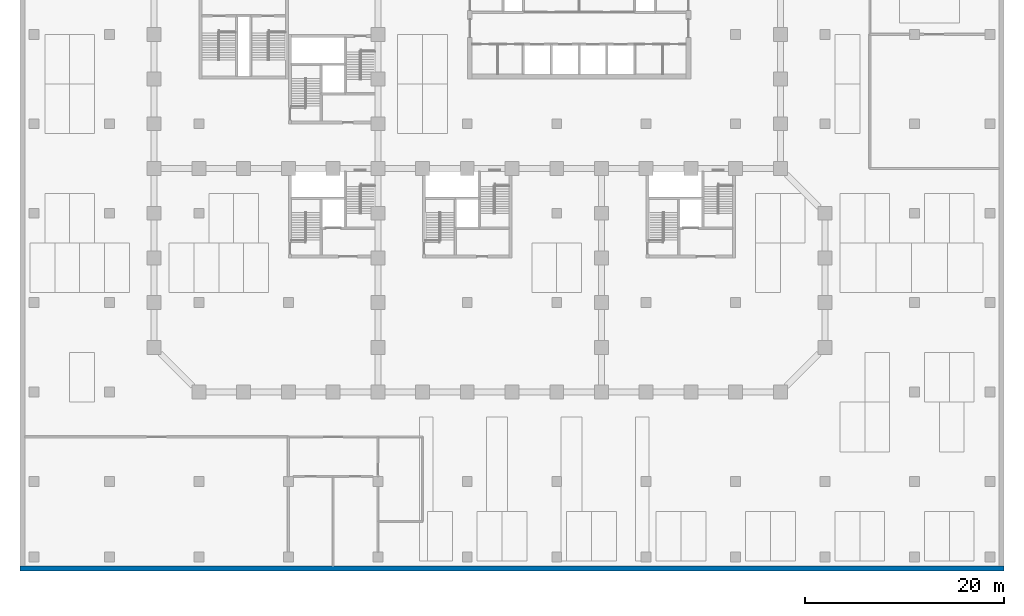
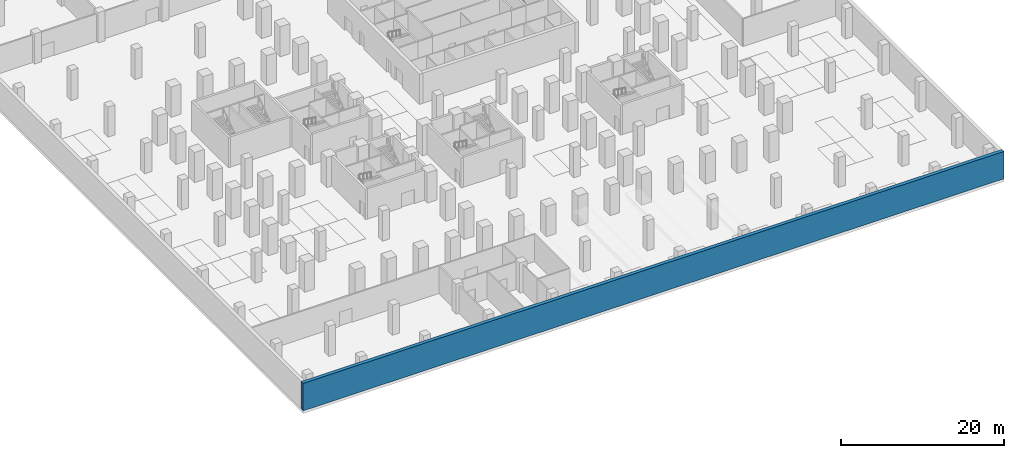
# One storey, part 5 of 16: 1 wall.
"""IFC4 building model written with IfcOpenShell, lengths in metres."""

import ifcopenshell
import ifcopenshell.guid

model = None  # the IFC model being written
_history = None  # IfcOwnerHistory: only IFC2X3 demands one
_inside = {}  # id of a spatial element -> (the spatial element, [elements in it])
_under = {}  # id of a project, library or spatial element -> (it, [spatial elements below it])
_declared = {}  # id of a project -> (the project, [libraries it declares])
_typed = {}  # id of a type object -> (the type object, [elements of that type])
_made_of = {}  # id of a material, layer set ... -> (it, [elements and type objects made of it])


def new_model(schema):
    """Start an empty IFC model of exactly this schema.

    Asked for "IFC4X3", IfcOpenShell would pick the latest addendum, in which some entities
    have other attributes; the version numbers below select the first issue.
    IFC2X3 requires an IfcOwnerHistory on every rooted entity: one is made here for all.
    """
    global model, _history
    if schema == "IFC4X3":
        model = ifcopenshell.file(schema_version=(4, 3, 0, 0))
    else:
        model = ifcopenshell.file(schema=schema)
    _inside.clear()
    _under.clear()
    _declared.clear()
    _typed.clear()
    _made_of.clear()
    _history = None
    if model.schema == "IFC2X3":
        org = make("IfcOrganization", Name="unknown")
        user = make(
            "IfcPersonAndOrganization",
            ThePerson=make("IfcPerson", FamilyName="unknown"),
            TheOrganization=org,
        )
        app = make(
            "IfcApplication",
            ApplicationDeveloper=org,
            Version="unknown",
            ApplicationFullName="unknown",
            ApplicationIdentifier="unknown",
        )
        _history = make(
            "IfcOwnerHistory",
            OwningUser=user,
            OwningApplication=app,
            ChangeAction="ADDED",
            CreationDate=0,
        )
    return model


def make(cls, **values):
    """One entity of the class cls with the attributes given. An attribute that is None is left unset."""
    return model.create_entity(
        cls, **{name: value for name, value in values.items() if value is not None}
    )


def rooted(cls, **values):
    """An entity with a GlobalId (a new one), such as an element, a storey or a relation."""
    return make(cls, GlobalId=ifcopenshell.guid.new(), OwnerHistory=_history, **values)


def si_unit(unit_type, name, prefix=None):
    """IfcSIUnit, for example si_unit("LENGTHUNIT", "METRE", prefix="MILLI")."""
    return make("IfcSIUnit", UnitType=unit_type, Prefix=prefix, Name=name)


def assignment(units):
    """IfcUnitAssignment: the units of a project."""
    return None if units is None else make("IfcUnitAssignment", Units=units)


def point(xyz):
    """IfcCartesianPoint."""
    return None if xyz is None else make("IfcCartesianPoint", Coordinates=xyz)


def direction(xyz):
    """IfcDirection."""
    return None if xyz is None else make("IfcDirection", DirectionRatios=xyz)


def frame(location, z_axis=None, x_axis=None):
    """IfcAxis2Placement3D, a coordinate frame: its origin and axes. An axis left out is left unset."""
    return make(
        "IfcAxis2Placement3D",
        Location=point(location),
        Axis=direction(z_axis),
        RefDirection=direction(x_axis),
    )


def frame_2d(location, x_axis=None):
    """IfcAxis2Placement2D, a coordinate frame in the plane: its origin and x axis."""
    return make(
        "IfcAxis2Placement2D", Location=point(location), RefDirection=direction(x_axis)
    )


def origin():
    """The frame at (0, 0, 0) with its axes left unset."""
    return frame((0.0, 0.0, 0.0))


def place(relative_to, where):
    """IfcLocalPlacement: puts the frame where relative to a parent placement (None: the world)."""
    return make(
        "IfcLocalPlacement", PlacementRelTo=relative_to, RelativePlacement=where
    )


def context(
    kind, dimensions, precision=None, world=None, true_north=None, identifier=None
):
    """IfcGeometricRepresentationContext, for example the 3D "Model" context."""
    return make(
        "IfcGeometricRepresentationContext",
        ContextIdentifier=identifier,
        ContextType=kind,
        CoordinateSpaceDimension=dimensions,
        Precision=precision,
        WorldCoordinateSystem=world,
        TrueNorth=true_north,
    )


def subcontext(parent, identifier, kind, view, scale=None):
    """IfcGeometricRepresentationSubContext, for example "Body" below "Model"."""
    return make(
        "IfcGeometricRepresentationSubContext",
        ContextIdentifier=identifier,
        ContextType=kind,
        ParentContext=parent,
        TargetScale=scale,
        TargetView=view,
    )


def project(units=None, contexts=None):
    """IfcProject with its units and contexts."""
    return rooted(
        "IfcProject",
        Name="project",
        RepresentationContexts=contexts,
        UnitsInContext=assignment(units),
    )


def spatial(cls, under=None, at=None, **own):
    """A site, building, storey or space (cls), placed at a placement, below another one or the project."""
    s = rooted(cls, ObjectPlacement=at, **own)
    if under is not None:
        _under.setdefault(under.id(), (under, []))[1].append(s)
    return s


def profile(cls, at=None, kind="AREA", **sizes):
    """A parametric profile (cls). Its sizes go by their IFC names, for example OverallWidth=200.0."""
    return make(cls, ProfileType=kind, Position=at, **sizes)


def rectangle(**sizes):
    """IfcRectangleProfileDef."""
    return profile("IfcRectangleProfileDef", **sizes)


def extrude(swept, where, along, depth):
    """IfcExtrudedAreaSolid: the profile swept, set in the frame where, extruded along a direction by depth."""
    return make(
        "IfcExtrudedAreaSolid",
        SweptArea=swept,
        Position=where,
        ExtrudedDirection=direction(along),
        Depth=depth,
    )


def shape(context_of_items, identifier, shape_type, items):
    """IfcShapeRepresentation: the items that make up one representation, for example the "Body"."""
    return make(
        "IfcShapeRepresentation",
        ContextOfItems=context_of_items,
        RepresentationIdentifier=identifier,
        RepresentationType=shape_type,
        Items=items,
    )


def material(Name=None, Category=None):
    """IfcMaterial."""
    return make("IfcMaterial", Name=Name, Category=Category)


def layer(
    of_material, thickness, ventilated=None, Name=None, Category=None, Priority=None
):
    """IfcMaterialLayer: one layer of a wall or slab, of a material (None: an air gap)."""
    return make(
        "IfcMaterialLayer",
        Material=of_material,
        LayerThickness=thickness,
        IsVentilated=ventilated,
        Name=Name,
        Category=Category,
        Priority=Priority,
    )


def layer_set(layers, Name=None):
    """IfcMaterialLayerSet."""
    return make("IfcMaterialLayerSet", MaterialLayers=layers, LayerSetName=Name)


def made_of(thing, what):
    """Note that an element or type object is made of a material, layer set ...; save() writes the relation."""
    if what is not None:
        _made_of.setdefault(what.id(), (what, []))[1].append(thing)
    return thing


def type_object(cls, material=None, **own):
    """A type object (cls), such as IfcWallType, which elements share."""
    return made_of(rooted(cls, **own), material)


def element(
    cls,
    number,
    at=None,
    inside=None,
    cuts=None,
    type_object=None,
    material=None,
    context=None,
    identifier="Body",
    shape_type=None,
    held_by="IfcProductDefinitionShape",
    body=None,
    shapes=None,
    **own,
):
    """One element of the class cls, such as IfcWall. Its Tag is "e" and its number.

    at: its placement. inside: the storey or other place that contains it. cuts: it is an
    opening in that element (IfcRelVoidsElement). A single representation is given by context,
    identifier, shape_type and body (its items); several are given by shapes. held_by: the class
    of the entity that holds the representations. save() writes the other relations.
    """
    e = rooted(cls, Tag="e%d" % number, ObjectPlacement=at, **own)
    if body is not None:
        shapes = [shape(context, identifier, shape_type, body)]
    if shapes is not None:
        e.Representation = make(held_by, Representations=shapes)
    if inside is not None:
        _inside.setdefault(inside.id(), (inside, []))[1].append(e)
    if cuts is not None:
        rooted(
            "IfcRelVoidsElement", RelatingBuildingElement=cuts, RelatedOpeningElement=e
        )
    if type_object is not None:
        _typed.setdefault(type_object.id(), (type_object, []))[1].append(e)
    return made_of(e, material)


def aggregate(whole, parts):
    """IfcRelAggregates: a whole, such as a stair, and the parts it consists of."""
    return rooted("IfcRelAggregates", RelatingObject=whole, RelatedObjects=parts)


def save(model, path):
    """Write the relations noted so far, then the file.

    IfcRelAggregates (storeys below a building ...), IfcRelContainedInSpatialStructure (elements
    in a storey), IfcRelDefinesByType, IfcRelAssociatesMaterial and IfcRelDeclares: one each for
    every whole, place, type object, material and project.
    """
    for whole, parts in _under.values():
        aggregate(whole, parts)
    for where, things in _inside.values():
        rooted(
            "IfcRelContainedInSpatialStructure",
            RelatedElements=things,
            RelatingStructure=where,
        )
    for kind, things in _typed.values():
        rooted("IfcRelDefinesByType", RelatedObjects=things, RelatingType=kind)
    for what, things in _made_of.values():
        rooted("IfcRelAssociatesMaterial", RelatedObjects=things, RelatingMaterial=what)
    for by, libraries in _declared.values():
        rooted("IfcRelDeclares", RelatingContext=by, RelatedDefinitions=libraries)
    model.write(path)


model = new_model("IFC4")

# Units and contexts
model_context = context("Model", 3, precision=1e-05, world=origin(), true_north=direction((0.0, 1.0)))
body_context = subcontext(model_context, "Body", "Model", "MODEL_VIEW")
ifc_project = project(units=[si_unit("LENGTHUNIT", "METRE"), si_unit("AREAUNIT", "SQUARE_METRE"), si_unit("VOLUMEUNIT", "CUBIC_METRE"), si_unit("PLANEANGLEUNIT", "RADIAN"), si_unit("MASSUNIT", "GRAM", prefix="KILO")], contexts=[model_context])

# Site, building, storey
site_placement = place(None, origin())
site = spatial("IfcSite", under=ifc_project, at=site_placement, CompositionType="ELEMENT")
building_placement = place(site_placement, origin())
building = spatial("IfcBuilding", under=site, at=building_placement, Name="Quoin Convention Tower", CompositionType="ELEMENT")
storey_placement = place(building_placement, frame((0.0, 0.0, -4.5)))
storey = spatial("IfcBuildingStorey", under=building, at=storey_placement, Name="B1", CompositionType="ELEMENT", Elevation=-4.5)

# Wall
ifc_material = material(Name="Concrete C50", Category="concrete")
ifc_layer = layer(ifc_material, 0.5)
ifc_layer_set = layer_set([ifc_layer], Name="Concrete C50")
wall_type = type_object("IfcWallType", Name="RC RETAINING WALL 500 C50", PredefinedType="SOLIDWALL", material=ifc_layer_set)
wall_placement = place(storey_placement, frame((0.0, 0.25, 0.0), z_axis=(0.0, 0.0, 1.0), x_axis=(1.0, 0.0, 0.0)))
element("IfcWall", 1, at=wall_placement, inside=storey, type_object=wall_type, Name="bsm-B1-S", PredefinedType="SOLIDWALL", context=body_context, shape_type="SweptSolid", body=[
    extrude(rectangle(XDim=99.0, YDim=0.5, at=frame_2d((49.5, 0.0))), origin(), (0.0, 0.0, 1.0), 4.10009765625),
])

save(model, "model.ifc")
